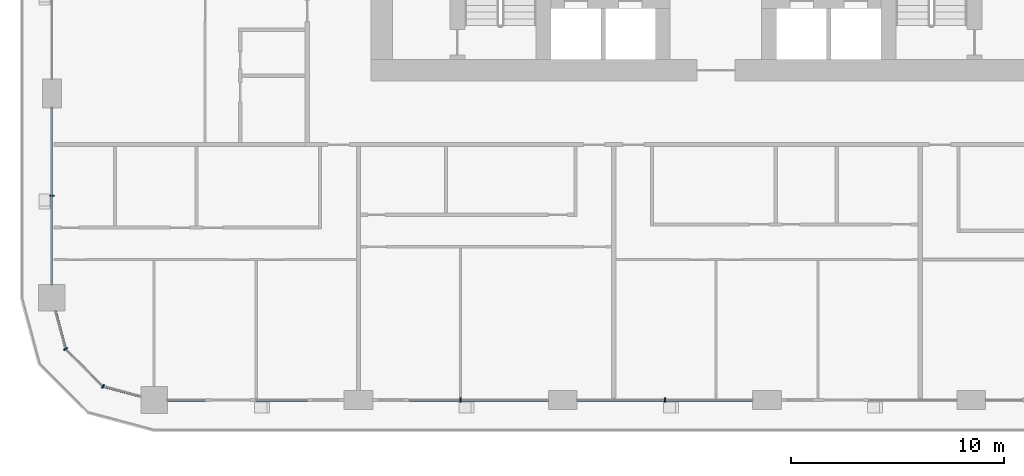
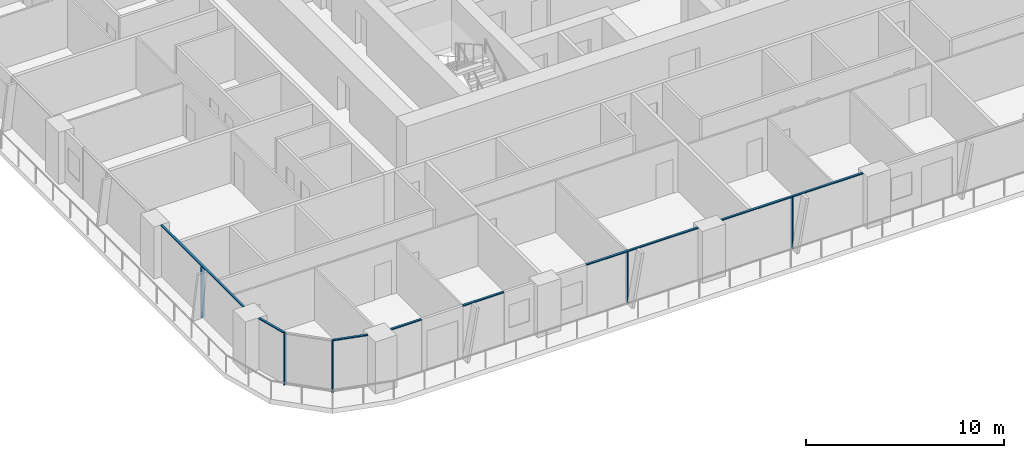
# One storey, part 2 of 21: 12 members, 5 elements without a shape of their own.
"""IFC4 building model written with IfcOpenShell, lengths in metres."""

from ifc_helpers import new_model, si_unit, direction, frame, origin, origin_2d, place, context, subcontext, project, spatial, rectangle, extrude, material, layer, layer_set, material_profile, profile_set, type_object, element, aggregate, save


model = new_model("IFC4")

# Units and contexts
model_context = context("Model", 3, precision=1e-05, world=origin(), true_north=direction((0.0, 1.0)))
body_context = subcontext(model_context, "Body", "Model", "MODEL_VIEW")
ifc_project = project(units=[si_unit("LENGTHUNIT", "METRE"), si_unit("AREAUNIT", "SQUARE_METRE"), si_unit("VOLUMEUNIT", "CUBIC_METRE"), si_unit("PLANEANGLEUNIT", "RADIAN"), si_unit("MASSUNIT", "GRAM", prefix="KILO")], contexts=[model_context])

# Site, building, storey
site_placement = place(None, origin())
site = spatial("IfcSite", under=ifc_project, at=site_placement, CompositionType="ELEMENT")
building_placement = place(site_placement, origin())
building = spatial("IfcBuilding", under=site, at=building_placement, Name="Madar Terraces", CompositionType="ELEMENT")
storey_placement = place(building_placement, frame((0.0, 0.0, 39.89990234375)))
storey = spatial("IfcBuildingStorey", under=building, at=storey_placement, Name="L09", CompositionType="ELEMENT", Elevation=39.89990234375)

# Curtain wall, member
ifc_material_1 = material(Name="Glass, ceramic frit dark grey, with black aluminium frame", Category="aluminium")
ifc_layer = layer(ifc_material_1, 0.199951171875)
ifc_layer_set = layer_set([ifc_layer], Name="Facade curtain wall, fritted glass")
curtain_wall_type = type_object("IfcCurtainWallType", Name="Facade curtain wall, fritted glass", PredefinedType="NOTDEFINED", material=ifc_layer_set)
curtain_wall_1_placement = place(storey_placement, origin())
curtain_wall_1 = element("IfcCurtainWall", 1, at=curtain_wall_1_placement, inside=storey, type_object=curtain_wall_type, Name="Outer skin curtain wall south bay 2", PredefinedType="NOTDEFINED")
ifc_material_2 = material(Name="Aluminium, black anodised", Category="aluminium")
ifc_material_profile_1 = material_profile(ifc_material_2, rectangle(XDim=0.199951171875, YDim=0.06005859375, at=origin_2d()), Name="Facade mullion 60x200")
ifc_profile_set_1 = profile_set([ifc_material_profile_1], Name="Aluminium, black anodised")
member_type_1 = type_object("IfcMemberType", Name="Facade mullion 60x200", PredefinedType="MULLION", material=ifc_profile_set_1)
member_1_placement = place(storey_placement, frame((19.199951171875, 0.0, 0.0), z_axis=(0.0, 0.0, 1.0), x_axis=(0.0, 1.0, 0.0)))
member_1 = element("IfcMember", 2, at=member_1_placement, type_object=member_type_1, Name="Mullion 1", PredefinedType="MULLION", context=body_context, shape_type="SweptSolid", body=[
    extrude(rectangle(XDim=0.199951171875, YDim=0.06005859375, at=origin_2d()), origin(), (0.0, 0.0, 1.0), 3.14013671875),
])

curtain_wall_2_placement = place(storey_placement, origin())
curtain_wall_2 = element("IfcCurtainWall", 3, at=curtain_wall_2_placement, inside=storey, type_object=curtain_wall_type, Name="Outer skin curtain wall south bay 3", PredefinedType="NOTDEFINED")
member_2_placement = place(storey_placement, frame((28.800048828125, 0.0, 0.0), z_axis=(0.0, 0.0, 1.0), x_axis=(0.0, 1.0, 0.0)))
member_2 = element("IfcMember", 4, at=member_2_placement, type_object=member_type_1, Name="Mullion 1", PredefinedType="MULLION", context=body_context, shape_type="SweptSolid", body=[
    extrude(rectangle(XDim=0.199951171875, YDim=0.06005859375, at=origin_2d()), origin(), (0.0, 0.0, 1.0), 3.14013671875),
])

curtain_wall_3_placement = place(storey_placement, origin())
curtain_wall_3 = element("IfcCurtainWall", 5, at=curtain_wall_3_placement, inside=storey, type_object=curtain_wall_type, Name="Outer skin curtain wall west bay 4", PredefinedType="NOTDEFINED")
member_3_placement = place(storey_placement, frame((0.0, 9.60009765625, 0.0), z_axis=(0.0, 0.0, 1.0), x_axis=(1.0, 0.0, 0.0)))
member_3 = element("IfcMember", 6, at=member_3_placement, type_object=member_type_1, Name="Mullion 1", PredefinedType="MULLION", context=body_context, shape_type="SweptSolid", body=[
    extrude(rectangle(XDim=0.199951171875, YDim=0.06005859375, at=origin_2d()), origin(), (0.0, 0.0, 1.0), 3.14013671875),
])

# Curtain wall, members
curtain_wall_4_placement = place(storey_placement, origin())
curtain_wall_4 = element("IfcCurtainWall", 7, at=curtain_wall_4_placement, inside=storey, type_object=curtain_wall_type, Name="Outer skin curtain wall south-west corner", PredefinedType="NOTDEFINED")
member_4_placement = place(storey_placement, frame((0.64306640625, 2.39990234375, 0.0), z_axis=(0.0, 0.0, 1.0), x_axis=(0.866025409797, 0.499999989586, 0.0)))
member_4 = element("IfcMember", 8, at=member_4_placement, type_object=member_type_1, Name="Mullion 1", PredefinedType="MULLION", context=body_context, shape_type="SweptSolid", body=[
    extrude(rectangle(XDim=0.199951171875, YDim=0.06005859375, at=origin_2d()), origin(), (0.0, 0.0, 1.0), 3.14013671875),
])
member_5_placement = place(storey_placement, frame((2.39990234375, 0.64306640625, 0.0), z_axis=(0.0, 0.0, 1.0), x_axis=(0.499999989586, 0.866025409797, 0.0)))
member_5 = element("IfcMember", 9, at=member_5_placement, type_object=member_type_1, Name="Mullion 2", PredefinedType="MULLION", context=body_context, shape_type="SweptSolid", body=[
    extrude(rectangle(XDim=0.199951171875, YDim=0.06005859375, at=origin_2d()), origin(), (0.0, 0.0, 1.0), 3.14013671875),
])

curtain_wall_5_placement = place(storey_placement, origin())
curtain_wall_5 = element("IfcCurtainWall", 10, at=curtain_wall_5_placement, inside=storey, type_object=curtain_wall_type, Name="Outer skin curtain wall south bay 1", PredefinedType="NOTDEFINED")
ifc_material_3 = material(Name="Aluminium, black anodised", Category="aluminium")
ifc_material_profile_2 = material_profile(ifc_material_3, rectangle(XDim=0.1201171875, YDim=0.06005859375, at=origin_2d()), Name="Facade transom 60x120")
ifc_profile_set_2 = profile_set([ifc_material_profile_2], Name="Aluminium, black anodised")
member_type_2 = type_object("IfcMemberType", Name="Facade transom 60x120", PredefinedType="USERDEFINED", material=ifc_profile_set_2)
member_6_placement = place(storey_placement, frame((5.425048828125, 0.0, 3.170166015625), z_axis=(1.0, 0.0, 0.0), x_axis=(0.0, 1.0, 0.0)))
member_6 = element("IfcMember", 11, at=member_6_placement, type_object=member_type_2, Name="Transom 1", ObjectType="TRANSOM", PredefinedType="USERDEFINED", context=body_context, shape_type="SweptSolid", body=[
    extrude(rectangle(XDim=0.1201171875, YDim=0.06005859375, at=origin_2d()), origin(), (0.0, 0.0, 1.0), 1.77490234375),
])
member_7_placement = place(storey_placement, frame((9.60009765625, 0.0, 3.170166015625), z_axis=(1.0, 0.0, 0.0), x_axis=(0.0, 1.0, 0.0)))
member_7 = element("IfcMember", 12, at=member_7_placement, type_object=member_type_2, Name="Transom 2", ObjectType="TRANSOM", PredefinedType="USERDEFINED", context=body_context, shape_type="SweptSolid", body=[
    extrude(rectangle(XDim=0.1201171875, YDim=0.06005859375, at=origin_2d()), origin(), (0.0, 0.0, 1.0), 2.39990234375),
])
aggregate(curtain_wall_5, [member_6, member_7])

# Member
member_8_placement = place(storey_placement, frame((16.800048828125, 0.0, 3.170166015625), z_axis=(1.0, 0.0, 0.0), x_axis=(0.0, 1.0, 0.0)))
member_8 = element("IfcMember", 13, at=member_8_placement, type_object=member_type_2, Name="Transom 1", ObjectType="TRANSOM", PredefinedType="USERDEFINED", context=body_context, shape_type="SweptSolid", body=[
    extrude(rectangle(XDim=0.1201171875, YDim=0.06005859375, at=origin_2d()), origin(), (0.0, 0.0, 1.0), 6.52490234375),
])

aggregate(curtain_wall_1, [member_1, member_8])

member_9_placement = place(storey_placement, frame((24.675048828125, 0.0, 3.170166015625), z_axis=(1.0, 0.0, 0.0), x_axis=(0.0, 1.0, 0.0)))
member_9 = element("IfcMember", 14, at=member_9_placement, type_object=member_type_2, Name="Transom 1", ObjectType="TRANSOM", PredefinedType="USERDEFINED", context=body_context, shape_type="SweptSolid", body=[
    extrude(rectangle(XDim=0.1201171875, YDim=0.06005859375, at=origin_2d()), origin(), (0.0, 0.0, 1.0), 8.25),
])

aggregate(curtain_wall_2, [member_2, member_9])

member_10_placement = place(storey_placement, frame((0.0, 13.72509765625, 3.170166015625), z_axis=(0.0, -1.0, 0.0), x_axis=(1.0, 0.0, 0.0)))
member_10 = element("IfcMember", 15, at=member_10_placement, type_object=member_type_2, Name="Transom 1", ObjectType="TRANSOM", PredefinedType="USERDEFINED", context=body_context, shape_type="SweptSolid", body=[
    extrude(rectangle(XDim=0.1201171875, YDim=0.06005859375, at=origin_2d()), origin(), (0.0, 0.0, 1.0), 8.300048828125),
])

aggregate(curtain_wall_3, [member_3, member_10])

member_11_placement = place(storey_placement, frame((0.16748046875, 4.175048828125, 3.170166015625), z_axis=(0.258772089929, -0.965938406667, 0.0), x_axis=(0.965938406667, 0.258772089929, 0.0)))
member_11 = element("IfcMember", 16, at=member_11_placement, type_object=member_type_2, Name="Transom 1", ObjectType="TRANSOM", PredefinedType="USERDEFINED", context=body_context, shape_type="SweptSolid", body=[
    extrude(rectangle(XDim=0.1201171875, YDim=0.06005859375, at=origin_2d()), origin(), (0.0, 0.0, 1.0), 1.8076171875),
])

member_12_placement = place(storey_placement, frame((2.428955078125, 0.63525390625, 3.170166015625), z_axis=(0.965938406667, -0.258772089929, 0.0), x_axis=(0.258772089929, 0.965938406667, 0.0)))
member_12 = element("IfcMember", 17, at=member_12_placement, type_object=member_type_2, Name="Transom 3", ObjectType="TRANSOM", PredefinedType="USERDEFINED", context=body_context, shape_type="SweptSolid", body=[
    extrude(rectangle(XDim=0.1201171875, YDim=0.06005859375, at=origin_2d()), origin(), (0.0, 0.0, 1.0), 1.8076171875),
])

aggregate(curtain_wall_4, [member_4, member_11, member_5, member_12])

save(model, "model.ifc")
